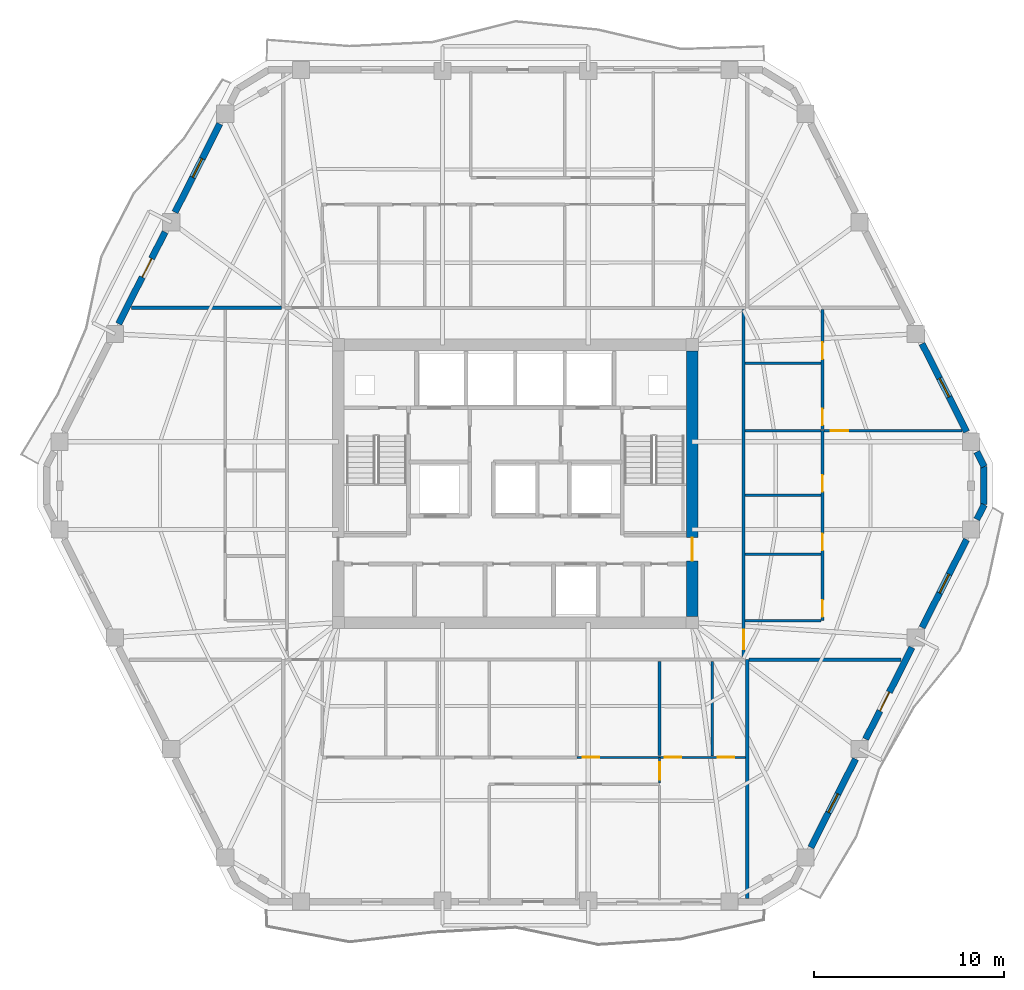
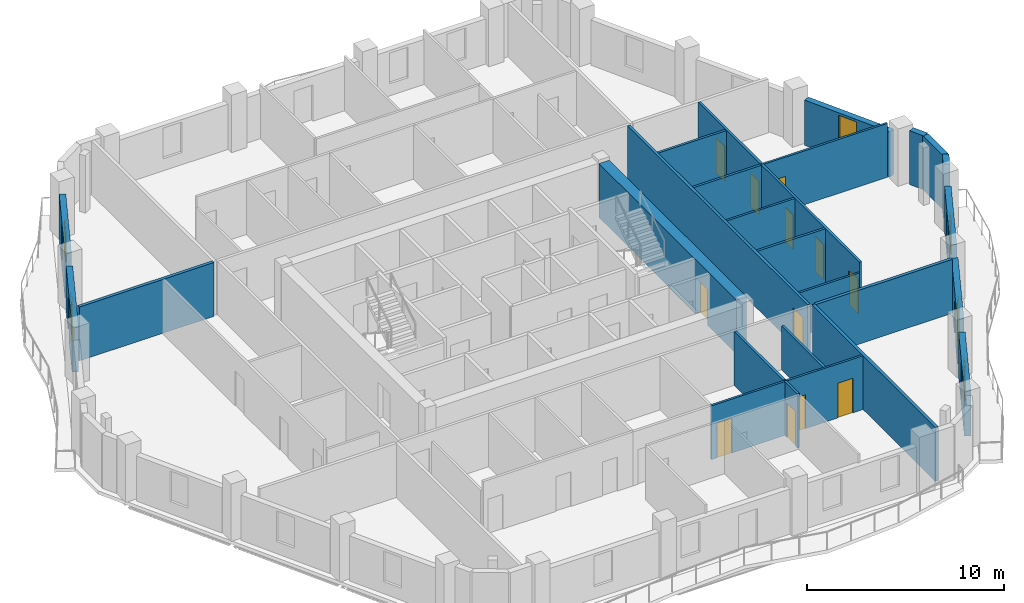
# One storey, part 6 of 10: 26 walls, 14 doors, 4 windows, 18 openings.
"""IFC4 building model written with IfcOpenShell, lengths in metres."""

import ifcopenshell
import ifcopenshell.guid

model = None  # the IFC model being written
_history = None  # IfcOwnerHistory: only IFC2X3 demands one
_inside = {}  # id of a spatial element -> (the spatial element, [elements in it])
_under = {}  # id of a project, library or spatial element -> (it, [spatial elements below it])
_declared = {}  # id of a project -> (the project, [libraries it declares])
_typed = {}  # id of a type object -> (the type object, [elements of that type])
_made_of = {}  # id of a material, layer set ... -> (it, [elements and type objects made of it])


def new_model(schema):
    """Start an empty IFC model of exactly this schema.

    Asked for "IFC4X3", IfcOpenShell would pick the latest addendum, in which some entities
    have other attributes; the version numbers below select the first issue.
    IFC2X3 requires an IfcOwnerHistory on every rooted entity: one is made here for all.
    """
    global model, _history
    if schema == "IFC4X3":
        model = ifcopenshell.file(schema_version=(4, 3, 0, 0))
    else:
        model = ifcopenshell.file(schema=schema)
    _inside.clear()
    _under.clear()
    _declared.clear()
    _typed.clear()
    _made_of.clear()
    _history = None
    if model.schema == "IFC2X3":
        org = make("IfcOrganization", Name="unknown")
        user = make(
            "IfcPersonAndOrganization",
            ThePerson=make("IfcPerson", FamilyName="unknown"),
            TheOrganization=org,
        )
        app = make(
            "IfcApplication",
            ApplicationDeveloper=org,
            Version="unknown",
            ApplicationFullName="unknown",
            ApplicationIdentifier="unknown",
        )
        _history = make(
            "IfcOwnerHistory",
            OwningUser=user,
            OwningApplication=app,
            ChangeAction="ADDED",
            CreationDate=0,
        )
    return model


def make(cls, **values):
    """One entity of the class cls with the attributes given. An attribute that is None is left unset."""
    return model.create_entity(
        cls, **{name: value for name, value in values.items() if value is not None}
    )


def rooted(cls, **values):
    """An entity with a GlobalId (a new one), such as an element, a storey or a relation."""
    return make(cls, GlobalId=ifcopenshell.guid.new(), OwnerHistory=_history, **values)


def si_unit(unit_type, name, prefix=None):
    """IfcSIUnit, for example si_unit("LENGTHUNIT", "METRE", prefix="MILLI")."""
    return make("IfcSIUnit", UnitType=unit_type, Prefix=prefix, Name=name)


def assignment(units):
    """IfcUnitAssignment: the units of a project."""
    return None if units is None else make("IfcUnitAssignment", Units=units)


def point(xyz):
    """IfcCartesianPoint."""
    return None if xyz is None else make("IfcCartesianPoint", Coordinates=xyz)


def direction(xyz):
    """IfcDirection."""
    return None if xyz is None else make("IfcDirection", DirectionRatios=xyz)


def frame(location, z_axis=None, x_axis=None):
    """IfcAxis2Placement3D, a coordinate frame: its origin and axes. An axis left out is left unset."""
    return make(
        "IfcAxis2Placement3D",
        Location=point(location),
        Axis=direction(z_axis),
        RefDirection=direction(x_axis),
    )


def frame_2d(location, x_axis=None):
    """IfcAxis2Placement2D, a coordinate frame in the plane: its origin and x axis."""
    return make(
        "IfcAxis2Placement2D", Location=point(location), RefDirection=direction(x_axis)
    )


def origin():
    """The frame at (0, 0, 0) with its axes left unset."""
    return frame((0.0, 0.0, 0.0))


def place(relative_to, where):
    """IfcLocalPlacement: puts the frame where relative to a parent placement (None: the world)."""
    return make(
        "IfcLocalPlacement", PlacementRelTo=relative_to, RelativePlacement=where
    )


def context(
    kind, dimensions, precision=None, world=None, true_north=None, identifier=None
):
    """IfcGeometricRepresentationContext, for example the 3D "Model" context."""
    return make(
        "IfcGeometricRepresentationContext",
        ContextIdentifier=identifier,
        ContextType=kind,
        CoordinateSpaceDimension=dimensions,
        Precision=precision,
        WorldCoordinateSystem=world,
        TrueNorth=true_north,
    )


def subcontext(parent, identifier, kind, view, scale=None):
    """IfcGeometricRepresentationSubContext, for example "Body" below "Model"."""
    return make(
        "IfcGeometricRepresentationSubContext",
        ContextIdentifier=identifier,
        ContextType=kind,
        ParentContext=parent,
        TargetScale=scale,
        TargetView=view,
    )


def project(units=None, contexts=None):
    """IfcProject with its units and contexts."""
    return rooted(
        "IfcProject",
        Name="project",
        RepresentationContexts=contexts,
        UnitsInContext=assignment(units),
    )


def spatial(cls, under=None, at=None, **own):
    """A site, building, storey or space (cls), placed at a placement, below another one or the project."""
    s = rooted(cls, ObjectPlacement=at, **own)
    if under is not None:
        _under.setdefault(under.id(), (under, []))[1].append(s)
    return s


def profile(cls, at=None, kind="AREA", **sizes):
    """A parametric profile (cls). Its sizes go by their IFC names, for example OverallWidth=200.0."""
    return make(cls, ProfileType=kind, Position=at, **sizes)


def rectangle(**sizes):
    """IfcRectangleProfileDef."""
    return profile("IfcRectangleProfileDef", **sizes)


def extrude(swept, where, along, depth):
    """IfcExtrudedAreaSolid: the profile swept, set in the frame where, extruded along a direction by depth."""
    return make(
        "IfcExtrudedAreaSolid",
        SweptArea=swept,
        Position=where,
        ExtrudedDirection=direction(along),
        Depth=depth,
    )


def shape(context_of_items, identifier, shape_type, items):
    """IfcShapeRepresentation: the items that make up one representation, for example the "Body"."""
    return make(
        "IfcShapeRepresentation",
        ContextOfItems=context_of_items,
        RepresentationIdentifier=identifier,
        RepresentationType=shape_type,
        Items=items,
    )


def material(Name=None, Category=None):
    """IfcMaterial."""
    return make("IfcMaterial", Name=Name, Category=Category)


def layer(
    of_material, thickness, ventilated=None, Name=None, Category=None, Priority=None
):
    """IfcMaterialLayer: one layer of a wall or slab, of a material (None: an air gap)."""
    return make(
        "IfcMaterialLayer",
        Material=of_material,
        LayerThickness=thickness,
        IsVentilated=ventilated,
        Name=Name,
        Category=Category,
        Priority=Priority,
    )


def layer_set(layers, Name=None):
    """IfcMaterialLayerSet."""
    return make("IfcMaterialLayerSet", MaterialLayers=layers, LayerSetName=Name)


def made_of(thing, what):
    """Note that an element or type object is made of a material, layer set ...; save() writes the relation."""
    if what is not None:
        _made_of.setdefault(what.id(), (what, []))[1].append(thing)
    return thing


def type_object(cls, material=None, **own):
    """A type object (cls), such as IfcWallType, which elements share."""
    return made_of(rooted(cls, **own), material)


def element(
    cls,
    number,
    at=None,
    inside=None,
    cuts=None,
    type_object=None,
    material=None,
    context=None,
    identifier="Body",
    shape_type=None,
    held_by="IfcProductDefinitionShape",
    body=None,
    shapes=None,
    **own,
):
    """One element of the class cls, such as IfcWall. Its Tag is "e" and its number.

    at: its placement. inside: the storey or other place that contains it. cuts: it is an
    opening in that element (IfcRelVoidsElement). A single representation is given by context,
    identifier, shape_type and body (its items); several are given by shapes. held_by: the class
    of the entity that holds the representations. save() writes the other relations.
    """
    e = rooted(cls, Tag="e%d" % number, ObjectPlacement=at, **own)
    if body is not None:
        shapes = [shape(context, identifier, shape_type, body)]
    if shapes is not None:
        e.Representation = make(held_by, Representations=shapes)
    if inside is not None:
        _inside.setdefault(inside.id(), (inside, []))[1].append(e)
    if cuts is not None:
        rooted(
            "IfcRelVoidsElement", RelatingBuildingElement=cuts, RelatedOpeningElement=e
        )
    if type_object is not None:
        _typed.setdefault(type_object.id(), (type_object, []))[1].append(e)
    return made_of(e, material)


def fill(opening, filler):
    """IfcRelFillsElement: the door or window that sits in an opening."""
    return rooted(
        "IfcRelFillsElement",
        RelatingOpeningElement=opening,
        RelatedBuildingElement=filler,
    )


def aggregate(whole, parts):
    """IfcRelAggregates: a whole, such as a stair, and the parts it consists of."""
    return rooted("IfcRelAggregates", RelatingObject=whole, RelatedObjects=parts)


def save(model, path):
    """Write the relations noted so far, then the file.

    IfcRelAggregates (storeys below a building ...), IfcRelContainedInSpatialStructure (elements
    in a storey), IfcRelDefinesByType, IfcRelAssociatesMaterial and IfcRelDeclares: one each for
    every whole, place, type object, material and project.
    """
    for whole, parts in _under.values():
        aggregate(whole, parts)
    for where, things in _inside.values():
        rooted(
            "IfcRelContainedInSpatialStructure",
            RelatedElements=things,
            RelatingStructure=where,
        )
    for kind, things in _typed.values():
        rooted("IfcRelDefinesByType", RelatedObjects=things, RelatingType=kind)
    for what, things in _made_of.values():
        rooted("IfcRelAssociatesMaterial", RelatedObjects=things, RelatingMaterial=what)
    for by, libraries in _declared.values():
        rooted("IfcRelDeclares", RelatingContext=by, RelatedDefinitions=libraries)
    model.write(path)


model = new_model("IFC4")

# Units and contexts
model_context = context("Model", 3, precision=1e-05, world=origin(), true_north=direction((0.0, 1.0)))
body_context = subcontext(model_context, "Body", "Model", "MODEL_VIEW")
ifc_project = project(units=[si_unit("LENGTHUNIT", "METRE"), si_unit("AREAUNIT", "SQUARE_METRE"), si_unit("VOLUMEUNIT", "CUBIC_METRE"), si_unit("PLANEANGLEUNIT", "RADIAN"), si_unit("MASSUNIT", "GRAM", prefix="KILO")], contexts=[model_context])

# Site, building, storey
site_placement = place(None, origin())
site = spatial("IfcSite", under=ifc_project, at=site_placement, CompositionType="ELEMENT")
building_placement = place(site_placement, origin())
building = spatial("IfcBuilding", under=site, at=building_placement, Name="Cinnabar Lancet Tower", CompositionType="ELEMENT")
storey_placement = place(building_placement, frame((0.0, 0.0, 164.14990234375)))
storey = spatial("IfcBuildingStorey", under=building, at=storey_placement, Name="L43", CompositionType="ELEMENT", Elevation=164.14990234375)

# Wall, opening, door
ifc_material_1 = material(Name="Acoustic twin-stud gypsum partition", Category="gypsum")
ifc_layer_1 = layer(ifc_material_1, 0.159912109375)
ifc_layer_set_1 = layer_set([ifc_layer_1], Name="Acoustic twin-stud gypsum partition")
wall_type_1 = type_object("IfcWallType", Name="ARC-WL-CORR-160", PredefinedType="PARTITIONING", material=ifc_layer_set_1)
wall_1_placement = place(storey_placement, frame((44.39990234375, 16.7451171875, 0.0), z_axis=(0.0, 0.0, 1.0), x_axis=(0.0, 1.0, 0.0)))
wall_1 = element("IfcWall", 1, at=wall_1_placement, inside=storey, type_object=wall_type_1, Name="UW-L43-E01-COR", PredefinedType="PARTITIONING", context=body_context, shape_type="SweptSolid", body=[
    extrude(rectangle(XDim=18.309814453125, YDim=0.159912109375, at=frame_2d((9.15478515625, 0.0))), origin(), (0.0, 0.0, 1.0), 3.340087890625),
])
opening_1_placement = place(wall_1_placement, frame((0.449951171875, 0.0, 0.0)))
opening_1 = element("IfcOpeningElement", 2, at=opening_1_placement, cuts=wall_1, Name="Opening UD-01", PredefinedType="OPENING", context=body_context, shape_type="SweptSolid", body=[
    extrude(rectangle(XDim=1.02001953125, YDim=2.25, at=frame_2d((0.510009765625, 1.125))), frame((0.0, 0.08984375, 0.0), z_axis=(0.0, -1.0, 0.0), x_axis=(1.0, 0.0, 0.0)), (0.0, 0.0, 1.0), 0.179931640625),
])
ifc_material_2 = material(Name="Solid timber fire-rated apartment entrance door", Category="wood")
door_type_1 = type_object("IfcDoorType", Name="ARC-DR-UNIT", OperationType="NOTDEFINED", PredefinedType="DOOR", material=ifc_material_2)
door_1_placement = place(opening_1_placement, origin())
door_1 = element("IfcDoor", 3, at=door_1_placement, inside=storey, type_object=door_type_1, Name="DR-L43-E01-ENT", OperationType="SINGLE_SWING_LEFT", OverallHeight=2.25, OverallWidth=1.02001953125, PredefinedType="DOOR", context=body_context, shape_type="SweptSolid", body=[
    extrude(rectangle(XDim=1.02001953125, YDim=2.25, at=frame_2d((0.510009765625, 1.125))), frame((0.0, 0.02490234375, 0.0), z_axis=(0.0, -1.0, 0.0), x_axis=(1.0, 0.0, 0.0)), (0.0, 0.0, 1.0), 0.050048828125),
])
fill(opening_1, door_1)

# Walls
ifc_material_3 = material(Name="Fire-rated twin-frame acoustic drywall", Category="gypsum")
ifc_layer_2 = layer(ifc_material_3, 0.179931640625)
ifc_layer_set_2 = layer_set([ifc_layer_2], Name="Fire-rated twin-frame acoustic drywall")
wall_type_2 = type_object("IfcWallType", Name="ARC-WL-PARTY-180", PredefinedType="PARTITIONING", material=ifc_layer_set_2)
wall_2_placement = place(storey_placement, frame((44.60009765625, 4.10498046875, 0.0), z_axis=(0.0, 0.0, 1.0), x_axis=(0.0, 1.0, 0.0)))
element("IfcWall", 4, at=wall_2_placement, inside=storey, type_object=wall_type_2, Name="PW-L43-SPTY-446", PredefinedType="PARTITIONING", context=body_context, shape_type="SweptSolid", body=[
    extrude(rectangle(XDim=12.544921875, YDim=0.179931640625, at=frame_2d((6.2724609375, 0.0))), origin(), (0.0, 0.0, 1.0), 3.340087890625),
])
wall_3_placement = place(storey_placement, frame((44.695068359375, 16.64990234375, 0.0), z_axis=(0.0, 0.0, 1.0), x_axis=(1.0, 0.0, 0.0)))
element("IfcWall", 5, at=wall_3_placement, inside=storey, type_object=wall_type_2, Name="PW-L43-ESB", PredefinedType="PARTITIONING", context=body_context, shape_type="SweptSolid", body=[
    extrude(rectangle(XDim=7.995849609375, YDim=0.179931640625, at=frame_2d((3.998046875, 0.0))), origin(), (0.0, 0.0, 1.0), 3.340087890625),
])
wall_4_placement = place(storey_placement, frame((12.2099609375, 35.14990234375, 0.0), z_axis=(0.0, 0.0, 1.0), x_axis=(1.0, 0.0, 0.0)))
element("IfcWall", 6, at=wall_4_placement, inside=storey, type_object=wall_type_2, Name="PW-L43-WNB", PredefinedType="PARTITIONING", context=body_context, shape_type="SweptSolid", body=[
    extrude(rectangle(XDim=7.89501953125, YDim=0.179931640625, at=frame_2d((3.947509765625, 0.0))), origin(), (0.0, 0.0, 1.0), 3.340087890625),
])

# Wall, openings, doors
ifc_material_4 = material(Name="Gypsum plasterboard stud partition", Category="gypsum")
ifc_layer_3 = layer(ifc_material_4, 0.125)
ifc_layer_set_3 = layer_set([ifc_layer_3], Name="Gypsum plasterboard stud partition")
wall_type_3 = type_object("IfcWallType", Name="ARC-WL-UNIT-125", PredefinedType="PARTITIONING", material=ifc_layer_set_3)
wall_5_placement = place(storey_placement, frame((35.638916015625, 11.507080078125, 0.0), z_axis=(0.0, 0.0, 1.0), x_axis=(1.0, 0.0, 0.0)))
wall_5 = element("IfcWall", 7, at=wall_5_placement, inside=storey, type_object=wall_type_3, Name="UW-L43-S01-SP2", PredefinedType="PARTITIONING", context=body_context, shape_type="SweptSolid", body=[
    extrude(rectangle(XDim=8.865966796875, YDim=0.125, at=frame_2d((4.43310546875, 0.0))), origin(), (0.0, 0.0, 1.0), 3.340087890625),
])
opening_2_placement = place(wall_5_placement, frame((4.625, 0.0, 0.0)))
opening_2 = element("IfcOpeningElement", 8, at=opening_2_placement, cuts=wall_5, Name="Opening BD-01", PredefinedType="OPENING", context=body_context, shape_type="SweptSolid", body=[
    extrude(rectangle(XDim=0.860107421875, YDim=2.10009765625, at=frame_2d((0.43017578125, 1.050048828125))), frame((0.0, 0.072509765625, 0.0), z_axis=(0.0, -1.0, 0.0), x_axis=(1.0, 0.0, 0.0)), (0.0, 0.0, 1.0), 0.14501953125),
])
opening_3_placement = place(wall_5_placement, frame((7.39404296875, 0.0, 0.0)))
opening_3 = element("IfcOpeningElement", 9, at=opening_3_placement, cuts=wall_5, Name="Opening RD-02", PredefinedType="OPENING", context=body_context, shape_type="SweptSolid", body=[
    extrude(rectangle(XDim=0.8798828125, YDim=2.14990234375, at=frame_2d((0.43994140625, 1.074951171875))), frame((0.0, 0.072509765625, 0.0), z_axis=(0.0, -1.0, 0.0), x_axis=(1.0, 0.0, 0.0)), (0.0, 0.0, 1.0), 0.14501953125),
])
opening_4_placement = place(wall_5_placement, frame((0.300048828125, 0.0, 0.0)))
opening_4 = element("IfcOpeningElement", 10, at=opening_4_placement, cuts=wall_5, Name="Opening RD-02", PredefinedType="OPENING", context=body_context, shape_type="SweptSolid", body=[
    extrude(rectangle(XDim=0.8798828125, YDim=2.14990234375, at=frame_2d((0.43994140625, 1.074951171875))), frame((0.0, 0.072509765625, 0.0), z_axis=(0.0, -1.0, 0.0), x_axis=(1.0, 0.0, 0.0)), (0.0, 0.0, 1.0), 0.14501953125),
])
ifc_material_5 = material(Name="Moisture-resistant timber bathroom door", Category="wood")
door_type_2 = type_object("IfcDoorType", Name="ARC-DR-BATH", OperationType="NOTDEFINED", PredefinedType="DOOR", material=ifc_material_5)
door_2_placement = place(opening_2_placement, origin())
door_2 = element("IfcDoor", 11, at=door_2_placement, inside=storey, type_object=door_type_2, Name="DR-L43-S01-ENS", OperationType="SINGLE_SWING_LEFT", OverallHeight=2.10009765625, OverallWidth=0.860107421875, PredefinedType="DOOR", context=body_context, shape_type="SweptSolid", body=[
    extrude(rectangle(XDim=0.860107421875, YDim=2.10009765625, at=frame_2d((0.43017578125, 1.050048828125))), frame((0.0, 0.02490234375, 0.0), z_axis=(0.0, -1.0, 0.0), x_axis=(1.0, 0.0, 0.0)), (0.0, 0.0, 1.0), 0.050048828125),
])
fill(opening_2, door_2)
ifc_material_6 = material(Name="Engineered timber study door", Category="wood")
door_type_3 = type_object("IfcDoorType", Name="ARC-DR-STUDY", OperationType="NOTDEFINED", PredefinedType="DOOR", material=ifc_material_6)
door_3_placement = place(opening_3_placement, origin())
door_3 = element("IfcDoor", 12, at=door_3_placement, inside=storey, type_object=door_type_3, Name="DR-L43-S01-ENS-WDR", OperationType="SINGLE_SWING_RIGHT", OverallHeight=2.14990234375, OverallWidth=0.8798828125, PredefinedType="DOOR", context=body_context, shape_type="SweptSolid", body=[
    extrude(rectangle(XDim=0.8798828125, YDim=2.14990234375, at=frame_2d((0.43994140625, 1.074951171875))), frame((0.0, 0.02490234375, 0.0), z_axis=(0.0, -1.0, 0.0), x_axis=(1.0, 0.0, 0.0)), (0.0, 0.0, 1.0), 0.050048828125),
])
fill(opening_3, door_3)
door_4_placement = place(opening_4_placement, origin())
door_4 = element("IfcDoor", 13, at=door_4_placement, inside=storey, type_object=door_type_3, Name="DR-L43-S01-DRS", OperationType="SINGLE_SWING_RIGHT", OverallHeight=2.14990234375, OverallWidth=0.8798828125, PredefinedType="DOOR", context=body_context, shape_type="SweptSolid", body=[
    extrude(rectangle(XDim=0.8798828125, YDim=2.14990234375, at=frame_2d((0.43994140625, 1.074951171875))), frame((0.0, 0.02490234375, 0.0), z_axis=(0.0, -1.0, 0.0), x_axis=(1.0, 0.0, 0.0)), (0.0, 0.0, 1.0), 0.050048828125),
])
fill(opening_4, door_4)

# Wall, opening, door
wall_6_placement = place(storey_placement, frame((39.98388671875, 10.177001953125, 0.0), z_axis=(0.0, 0.0, 1.0), x_axis=(0.0, 1.0, 0.0)))
wall_6 = element("IfcWall", 14, at=wall_6_placement, inside=storey, type_object=wall_type_3, Name="UW-L43-S01-MBE", PredefinedType="PARTITIONING", context=body_context, shape_type="SweptSolid", body=[
    extrude(rectangle(XDim=1.330078125, YDim=0.125, at=frame_2d((0.6650390625, 0.0))), origin(), (0.0, 0.0, 1.0), 3.340087890625),
])
opening_5_placement = place(wall_6_placement, frame((0.159912109375, 0.0, 0.0)))
opening_5 = element("IfcOpeningElement", 15, at=opening_5_placement, cuts=wall_6, Name="Opening RD-01", PredefinedType="OPENING", context=body_context, shape_type="SweptSolid", body=[
    extrude(rectangle(XDim=0.919921875, YDim=2.14990234375, at=frame_2d((0.4599609375, 1.074951171875))), frame((0.0, 0.072509765625, 0.0), z_axis=(0.0, -1.0, 0.0), x_axis=(1.0, 0.0, 0.0)), (0.0, 0.0, 1.0), 0.14501953125),
])
ifc_material_7 = material(Name="Engineered timber bedroom door", Category="wood")
door_type_4 = type_object("IfcDoorType", Name="ARC-DR-ROOM", OperationType="NOTDEFINED", PredefinedType="DOOR", material=ifc_material_7)
door_5_placement = place(opening_5_placement, origin())
door_5 = element("IfcDoor", 16, at=door_5_placement, inside=storey, type_object=door_type_4, Name="DR-L43-S01-MBD", OperationType="SINGLE_SWING_LEFT", OverallHeight=2.14990234375, OverallWidth=0.919921875, PredefinedType="DOOR", context=body_context, shape_type="SweptSolid", body=[
    extrude(rectangle(XDim=0.919921875, YDim=2.14990234375, at=frame_2d((0.4599609375, 1.074951171875))), frame((0.0, 0.02490234375, 0.0), z_axis=(0.0, -1.0, 0.0), x_axis=(1.0, 0.0, 0.0)), (0.0, 0.0, 1.0), 0.050048828125),
])
fill(opening_5, door_5)

# Wall
wall_7_placement = place(storey_placement, frame((44.485107421875, 18.699951171875, 0.0), z_axis=(0.0, 0.0, 1.0), x_axis=(1.0, 0.0, 0.0)))
element("IfcWall", 17, at=wall_7_placement, inside=storey, type_object=wall_type_3, Name="UW-L43-E01-FOYN", PredefinedType="PARTITIONING", context=body_context, shape_type="SweptSolid", body=[
    extrude(rectangle(XDim=3.97998046875, YDim=0.125, at=frame_2d((1.989990234375, 0.0))), origin(), (0.0, 0.0, 1.0), 2.72216796875),
])

# Wall, opening, door
wall_8_placement = place(storey_placement, frame((48.625, 28.68994140625, 0.0), z_axis=(0.0, 0.0, 1.0), x_axis=(1.0, 0.0, 0.0)))
wall_8 = element("IfcWall", 18, at=wall_8_placement, inside=storey, type_object=wall_type_3, Name="UW-L43-E01-MBN", PredefinedType="PARTITIONING", context=body_context, shape_type="SweptSolid", body=[
    extrude(rectangle(XDim=7.2490234375, YDim=0.125, at=frame_2d((3.62451171875, 0.0))), origin(), (0.0, 0.0, 1.0), 3.340087890625),
])
opening_6_placement = place(wall_8_placement, frame((0.35009765625, 0.0, 0.0)))
opening_6 = element("IfcOpeningElement", 19, at=opening_6_placement, cuts=wall_8, Name="Opening RD-01", PredefinedType="OPENING", context=body_context, shape_type="SweptSolid", body=[
    extrude(rectangle(XDim=0.919921875, YDim=2.14990234375, at=frame_2d((0.4599609375, 1.074951171875))), frame((0.0, 0.072509765625, 0.0), z_axis=(0.0, -1.0, 0.0), x_axis=(1.0, 0.0, 0.0)), (0.0, 0.0, 1.0), 0.14501953125),
])
door_6_placement = place(opening_6_placement, origin())
door_6 = element("IfcDoor", 20, at=door_6_placement, inside=storey, type_object=door_type_4, Name="DR-L43-E01-MBD", OperationType="SINGLE_SWING_LEFT", OverallHeight=2.14990234375, OverallWidth=0.919921875, PredefinedType="DOOR", context=body_context, shape_type="SweptSolid", body=[
    extrude(rectangle(XDim=0.919921875, YDim=2.14990234375, at=frame_2d((0.4599609375, 1.074951171875))), frame((0.0, 0.02490234375, 0.0), z_axis=(0.0, -1.0, 0.0), x_axis=(1.0, 0.0, 0.0)), (0.0, 0.0, 1.0), 0.050048828125),
])
fill(opening_6, door_6)

# Walls
wall_9_placement = place(storey_placement, frame((44.485107421875, 25.2900390625, 0.0), z_axis=(0.0, 0.0, 1.0), x_axis=(1.0, 0.0, 0.0)))
element("IfcWall", 21, at=wall_9_placement, inside=storey, type_object=wall_type_3, Name="UW-L43-E01-UDV", PredefinedType="PARTITIONING", context=body_context, shape_type="SweptSolid", body=[
    extrude(rectangle(XDim=3.97998046875, YDim=0.125, at=frame_2d((1.989990234375, 0.0))), origin(), (0.0, 0.0, 1.0), 3.340087890625),
])
ifc_material_8 = material(Name="Moisture-resistant cement-board plumbing wall", Category="masonry")
ifc_layer_4 = layer(ifc_material_8, 0.139892578125)
ifc_layer_set_4 = layer_set([ifc_layer_4], Name="Moisture-resistant cement-board plumbing wall")
wall_type_4 = type_object("IfcWallType", Name="ARC-WL-WET-140", PredefinedType="PLUMBINGWALL", material=ifc_layer_set_4)
wall_10_placement = place(storey_placement, frame((39.98388671875, 11.612060546875, 0.0), z_axis=(0.0, 0.0, 1.0), x_axis=(0.0, 1.0, 0.0)))
element("IfcWall", 22, at=wall_10_placement, inside=storey, type_object=wall_type_4, Name="UW-L43-S01-UT3", PredefinedType="PLUMBINGWALL", context=body_context, shape_type="SweptSolid", body=[
    extrude(rectangle(XDim=4.952880859375, YDim=0.139892578125, at=frame_2d((2.4765625, 0.0))), origin(), (0.0, 0.0, 1.0), 3.340087890625),
])
wall_11_placement = place(storey_placement, frame((42.7529296875, 11.592041015625, 0.0), z_axis=(0.0, 0.0, 1.0), x_axis=(0.0, 1.0, 0.0)))
element("IfcWall", 23, at=wall_11_placement, inside=storey, type_object=wall_type_4, Name="UW-L43-S01-ENS-WDV", PredefinedType="PLUMBINGWALL", context=body_context, shape_type="SweptSolid", body=[
    extrude(rectangle(XDim=4.972900390625, YDim=0.139892578125, at=frame_2d((2.486328125, 0.0))), origin(), (0.0, 0.0, 1.0), 2.72216796875),
])

# Wall, openings, doors
wall_12_placement = place(storey_placement, frame((48.550048828125, 18.699951171875, 0.0), z_axis=(0.0, 0.0, 1.0), x_axis=(0.0, 1.0, 0.0)))
wall_12 = element("IfcWall", 24, at=wall_12_placement, inside=storey, type_object=wall_type_4, Name="UW-L43-E01-SPL", PredefinedType="PLUMBINGWALL", context=body_context, shape_type="SweptSolid", body=[
    extrude(rectangle(XDim=9.989990234375, YDim=0.139892578125, at=frame_2d((4.9951171875, 0.0))), origin(), (0.0, 0.0, 1.0), 3.340087890625),
])
opening_7_placement = place(wall_12_placement, frame((0.199951171875, 0.0, 0.0)))
opening_7 = element("IfcOpeningElement", 25, at=opening_7_placement, cuts=wall_12, Name="Opening RD-02", PredefinedType="OPENING", context=body_context, shape_type="SweptSolid", body=[
    extrude(rectangle(XDim=0.8798828125, YDim=2.14990234375, at=frame_2d((0.43994140625, 1.074951171875))), frame((0.0, 0.079833984375, 0.0), z_axis=(0.0, -1.0, 0.0), x_axis=(1.0, 0.0, 0.0)), (0.0, 0.0, 1.0), 0.159912109375),
])
opening_8_placement = place(wall_12_placement, frame((3.699951171875, 0.0, 0.0)))
opening_8 = element("IfcOpeningElement", 26, at=opening_8_placement, cuts=wall_12, Name="Opening RD-02", PredefinedType="OPENING", context=body_context, shape_type="SweptSolid", body=[
    extrude(rectangle(XDim=0.8798828125, YDim=2.14990234375, at=frame_2d((0.43994140625, 1.074951171875))), frame((0.0, 0.079833984375, 0.0), z_axis=(0.0, -1.0, 0.0), x_axis=(1.0, 0.0, 0.0)), (0.0, 0.0, 1.0), 0.159912109375),
])
opening_9_placement = place(wall_12_placement, frame((6.7900390625, 0.0, 0.0)))
opening_9 = element("IfcOpeningElement", 27, at=opening_9_placement, cuts=wall_12, Name="Opening BD-01", PredefinedType="OPENING", context=body_context, shape_type="SweptSolid", body=[
    extrude(rectangle(XDim=0.860107421875, YDim=2.10009765625, at=frame_2d((0.43017578125, 1.050048828125))), frame((0.0, 0.079833984375, 0.0), z_axis=(0.0, -1.0, 0.0), x_axis=(1.0, 0.0, 0.0)), (0.0, 0.0, 1.0), 0.159912109375),
])
door_7_placement = place(opening_9_placement, origin())
door_7 = element("IfcDoor", 28, at=door_7_placement, inside=storey, type_object=door_type_2, Name="DR-L43-E01-BTH", OperationType="SINGLE_SWING_RIGHT", OverallHeight=2.10009765625, OverallWidth=0.860107421875, PredefinedType="DOOR", context=body_context, shape_type="SweptSolid", body=[
    extrude(rectangle(XDim=0.860107421875, YDim=2.10009765625, at=frame_2d((0.43017578125, 1.050048828125))), frame((0.0, 0.02490234375, 0.0), z_axis=(0.0, -1.0, 0.0), x_axis=(1.0, 0.0, 0.0)), (0.0, 0.0, 1.0), 0.050048828125),
])
fill(opening_9, door_7)
door_8_placement = place(opening_7_placement, origin())
door_8 = element("IfcDoor", 29, at=door_8_placement, inside=storey, type_object=door_type_3, Name="DR-L43-E01-KIT", OperationType="SINGLE_SWING_RIGHT", OverallHeight=2.14990234375, OverallWidth=0.8798828125, PredefinedType="DOOR", context=body_context, shape_type="SweptSolid", body=[
    extrude(rectangle(XDim=0.8798828125, YDim=2.14990234375, at=frame_2d((0.43994140625, 1.074951171875))), frame((0.0, 0.02490234375, 0.0), z_axis=(0.0, -1.0, 0.0), x_axis=(1.0, 0.0, 0.0)), (0.0, 0.0, 1.0), 0.050048828125),
])
fill(opening_7, door_8)
door_9_placement = place(opening_8_placement, origin())
door_9 = element("IfcDoor", 30, at=door_9_placement, inside=storey, type_object=door_type_3, Name="DR-L43-E01-UTL", OperationType="SINGLE_SWING_LEFT", OverallHeight=2.14990234375, OverallWidth=0.8798828125, PredefinedType="DOOR", context=body_context, shape_type="SweptSolid", body=[
    extrude(rectangle(XDim=0.8798828125, YDim=2.14990234375, at=frame_2d((0.43994140625, 1.074951171875))), frame((0.0, 0.02490234375, 0.0), z_axis=(0.0, -1.0, 0.0), x_axis=(1.0, 0.0, 0.0)), (0.0, 0.0, 1.0), 0.050048828125),
])
fill(opening_8, door_9)

wall_13_placement = place(storey_placement, frame((48.550048828125, 28.760009765625, 0.0), z_axis=(0.0, 0.0, 1.0), x_axis=(0.0, 1.0, 0.0)))
wall_13 = element("IfcWall", 31, at=wall_13_placement, inside=storey, type_object=wall_type_4, Name="UW-L43-E01-SPM", PredefinedType="PLUMBINGWALL", context=body_context, shape_type="SweptSolid", body=[
    extrude(rectangle(XDim=6.294921875, YDim=0.139892578125, at=frame_2d((3.1474609375, 0.0))), origin(), (0.0, 0.0, 1.0), 3.340087890625),
])
opening_10_placement = place(wall_13_placement, frame((0.219970703125, 0.0, 0.0)))
opening_10 = element("IfcOpeningElement", 32, at=opening_10_placement, cuts=wall_13, Name="Opening BD-01", PredefinedType="OPENING", context=body_context, shape_type="SweptSolid", body=[
    extrude(rectangle(XDim=0.860107421875, YDim=2.10009765625, at=frame_2d((0.43017578125, 1.050048828125))), frame((0.0, 0.079833984375, 0.0), z_axis=(0.0, -1.0, 0.0), x_axis=(1.0, 0.0, 0.0)), (0.0, 0.0, 1.0), 0.159912109375),
])
opening_11_placement = place(wall_13_placement, frame((3.696044921875, 0.0, 0.0)))
opening_11 = element("IfcOpeningElement", 33, at=opening_11_placement, cuts=wall_13, Name="Opening RD-02", PredefinedType="OPENING", context=body_context, shape_type="SweptSolid", body=[
    extrude(rectangle(XDim=0.8798828125, YDim=2.14990234375, at=frame_2d((0.43994140625, 1.074951171875))), frame((0.0, 0.079833984375, 0.0), z_axis=(0.0, -1.0, 0.0), x_axis=(1.0, 0.0, 0.0)), (0.0, 0.0, 1.0), 0.159912109375),
])
door_10_placement = place(opening_10_placement, origin())
door_10 = element("IfcDoor", 34, at=door_10_placement, inside=storey, type_object=door_type_2, Name="DR-L43-E01-ENS", OperationType="SINGLE_SWING_LEFT", OverallHeight=2.10009765625, OverallWidth=0.860107421875, PredefinedType="DOOR", context=body_context, shape_type="SweptSolid", body=[
    extrude(rectangle(XDim=0.860107421875, YDim=2.10009765625, at=frame_2d((0.43017578125, 1.050048828125))), frame((0.0, 0.02490234375, 0.0), z_axis=(0.0, -1.0, 0.0), x_axis=(1.0, 0.0, 0.0)), (0.0, 0.0, 1.0), 0.050048828125),
])
fill(opening_10, door_10)
door_11_placement = place(opening_11_placement, origin())
door_11 = element("IfcDoor", 35, at=door_11_placement, inside=storey, type_object=door_type_3, Name="DR-L43-E01-EWDR", OperationType="SINGLE_SWING_RIGHT", OverallHeight=2.14990234375, OverallWidth=0.8798828125, PredefinedType="DOOR", context=body_context, shape_type="SweptSolid", body=[
    extrude(rectangle(XDim=0.8798828125, YDim=2.14990234375, at=frame_2d((0.43994140625, 1.074951171875))), frame((0.0, 0.02490234375, 0.0), z_axis=(0.0, -1.0, 0.0), x_axis=(1.0, 0.0, 0.0)), (0.0, 0.0, 1.0), 0.050048828125),
])
fill(opening_11, door_11)

# Walls
for number, where, z_axis, x_axis, name in (
    (36, (44.485107421875, 28.68994140625, 0.0), (0.0, 0.0, 1.0), (1.0, 0.0, 0.0), "UW-L43-E01-ENSN"),
    (37, (44.485107421875, 22.199951171875, 0.0), (0.0, 0.0, 1.0), (1.0, 0.0, 0.0), "UW-L43-E01-KDV"),
    (38, (44.485107421875, 32.236083984375, 0.0), (0.0, 0.0, 1.0), (1.0, 0.0, 0.0), "UW-L43-E01-EWDV"),
):
    element("IfcWall", number, at=place(storey_placement, frame(where, z_axis=z_axis, x_axis=x_axis)), inside=storey, type_object=wall_type_4, Name=name, PredefinedType="PLUMBINGWALL", context=body_context, shape_type="SweptSolid", body=[
        extrude(rectangle(XDim=3.97998046875, YDim=0.139892578125, at=frame_2d((1.989990234375, 0.0))), origin(), (0.0, 0.0, 1.0), 3.340087890625),
    ])
ifc_material_9 = material(Name="Cinnabar red clay brick", Category="masonry")
ifc_layer_5 = layer(ifc_material_9, 0.340087890625)
ifc_layer_set_5 = layer_set([ifc_layer_5], Name="Cinnabar red clay brick")
wall_type_5 = type_object("IfcWallType", Name="ENV-WL-BRK-RED-340", PredefinedType="STANDARD", material=ifc_layer_set_5)
wall_14_placement = place(storey_placement, frame((57.032958984375, 24.802978515625, 0.0), z_axis=(0.0, 0.0, 1.0), x_axis=(0.0, 1.0, 0.0)))
element("IfcWall", 39, at=wall_14_placement, inside=storey, type_object=wall_type_5, Name="L43 Chamfered Corner Brick Pier 3.1", PredefinedType="STANDARD", context=body_context, shape_type="SweptSolid", body=[
    extrude(rectangle(XDim=1.994140625, YDim=0.340087890625, at=frame_2d((0.9970703125, 0.0))), origin(), (0.0, 0.0, 1.0), 3.340087890625),
])

# Wall, opening, window
wall_15_placement = place(storey_placement, frame((47.93701171875, 6.777099609375, 0.0), z_axis=(0.0, 0.0, 1.0), x_axis=(0.451595734115, 0.892222670038, 0.0)))
wall_15 = element("IfcWall", 40, at=wall_15_placement, inside=storey, type_object=wall_type_5, Name="L43 Face 2 Masonry Bay Wall 2", PredefinedType="STANDARD", context=body_context, shape_type="SweptSolid", body=[
    extrude(rectangle(XDim=5.208251953125, YDim=0.340087890625, at=frame_2d((2.60400390625, 0.0))), origin(), (0.0, 0.0, 1.0), 2.797119140625),
])
opening_12_placement = place(wall_15_placement, frame((2.053955078125, 0.0, 0.75)))
opening_12 = element("IfcOpeningElement", 41, at=opening_12_placement, cuts=wall_15, Name="Opening WN-04", PredefinedType="OPENING", context=body_context, shape_type="SweptSolid", body=[
    extrude(rectangle(XDim=1.10009765625, YDim=1.89697265625, at=frame_2d((0.550048828125, 0.948486328125))), frame((0.0, 0.179931640625, 0.0), z_axis=(0.0, -1.0, 0.0), x_axis=(1.0, 0.0, 0.0)), (0.0, 0.0, 1.0), 0.360107421875),
])
ifc_material_10 = material(Name="Thermally broken bronze-anodized aluminium tall lancet window", Category="aluminium")
window_type = type_object("IfcWindowType", Name="ENV-WN-LANCET-1100", PartitioningType="SINGLE_PANEL", PredefinedType="WINDOW", material=ifc_material_10)
window_1_placement = place(opening_12_placement, origin())
window_1 = element("IfcWindow", 42, at=window_1_placement, inside=storey, type_object=window_type, Name="L43 Face 2 Gothic Lancet Window 2", OverallHeight=1.89697265625, OverallWidth=1.10009765625, PartitioningType="SINGLE_PANEL", PredefinedType="WINDOW", context=body_context, shape_type="SweptSolid", body=[
    extrude(rectangle(XDim=1.10009765625, YDim=1.89697265625, at=frame_2d((0.550048828125, 0.948486328125))), frame((0.0, 0.030029296875, 0.0), z_axis=(0.0, -1.0, 0.0), x_axis=(1.0, 0.0, 0.0)), (0.0, 0.0, 1.0), 0.06005859375),
])
fill(opening_12, window_1)

# Wall, opening, door
wall_16_placement = place(storey_placement, frame((50.818115234375, 12.470947265625, 0.0), z_axis=(0.0, 0.0, 1.0), x_axis=(0.451491174807, 0.892275584711, 0.0)))
wall_16 = element("IfcWall", 43, at=wall_16_placement, inside=storey, type_object=wall_type_5, Name="L43 Face 2 Masonry Bay Wall 3", PredefinedType="STANDARD", context=body_context, shape_type="SweptSolid", body=[
    extrude(rectangle(XDim=5.404296875, YDim=0.340087890625, at=frame_2d((2.7021484375, 0.0))), origin(), (0.0, 0.0, 1.0), 2.797119140625),
])
opening_13_placement = place(wall_16_placement, frame((1.6669921875, 0.0, 0.0)))
opening_13 = element("IfcOpeningElement", 44, at=opening_13_placement, cuts=wall_16, Name="Opening TD-01", PredefinedType="OPENING", context=body_context, shape_type="SweptSolid", body=[
    extrude(rectangle(XDim=1.10009765625, YDim=2.25, at=frame_2d((0.550048828125, 1.125))), frame((0.0, 0.179931640625, 0.0), z_axis=(0.0, -1.0, 0.0), x_axis=(1.0, 0.0, 0.0)), (0.0, 0.0, 1.0), 0.360107421875),
])
ifc_material_11 = material(Name="Thermally broken low-E glazed balcony terrace door", Category="wood")
door_type_5 = type_object("IfcDoorType", Name="ARC-DR-BALC", OperationType="NOTDEFINED", PredefinedType="DOOR", material=ifc_material_11)
door_12_placement = place(opening_13_placement, origin())
door_12 = element("IfcDoor", 45, at=door_12_placement, inside=storey, type_object=door_type_5, Name="L43 Face 2 Glazed Terrace Door", OperationType="SINGLE_SWING_LEFT", OverallHeight=2.25, OverallWidth=1.10009765625, PredefinedType="DOOR", context=body_context, shape_type="SweptSolid", body=[
    extrude(rectangle(XDim=1.10009765625, YDim=2.25, at=frame_2d((0.550048828125, 1.125))), frame((0.0, 0.02490234375, 0.0), z_axis=(0.0, -1.0, 0.0), x_axis=(1.0, 0.0, 0.0)), (0.0, 0.0, 1.0), 0.050048828125),
])
fill(opening_13, door_12)

# Wall, opening, window
wall_17_placement = place(storey_placement, frame((53.785888671875, 18.337890625, 0.0), z_axis=(0.0, 0.0, 1.0), x_axis=(0.451544220963, 0.892248741392, 0.0)))
wall_17 = element("IfcWall", 46, at=wall_17_placement, inside=storey, type_object=wall_type_5, Name="L43 Face 2 Masonry Bay Wall 4", PredefinedType="STANDARD", context=body_context, shape_type="SweptSolid", body=[
    extrude(rectangle(XDim=5.18017578125, YDim=0.340087890625, at=frame_2d((2.590087890625, 0.0))), origin(), (0.0, 0.0, 1.0), 2.797119140625),
])
opening_14_placement = place(wall_17_placement, frame((2.0400390625, 0.0, 0.75)))
opening_14 = element("IfcOpeningElement", 47, at=opening_14_placement, cuts=wall_17, Name="Opening WN-04", PredefinedType="OPENING", context=body_context, shape_type="SweptSolid", body=[
    extrude(rectangle(XDim=1.10009765625, YDim=1.89697265625, at=frame_2d((0.550048828125, 0.948486328125))), frame((0.0, 0.179931640625, 0.0), z_axis=(0.0, -1.0, 0.0), x_axis=(1.0, 0.0, 0.0)), (0.0, 0.0, 1.0), 0.360107421875),
])
window_2_placement = place(opening_14_placement, origin())
window_2 = element("IfcWindow", 48, at=window_2_placement, inside=storey, type_object=window_type, Name="L43 Face 2 Gothic Lancet Window 4", OverallHeight=1.89697265625, OverallWidth=1.10009765625, PartitioningType="SINGLE_PANEL", PredefinedType="WINDOW", context=body_context, shape_type="SweptSolid", body=[
    extrude(rectangle(XDim=1.10009765625, YDim=1.89697265625, at=frame_2d((0.550048828125, 0.948486328125))), frame((0.0, 0.030029296875, 0.0), z_axis=(0.0, -1.0, 0.0), x_axis=(1.0, 0.0, 0.0)), (0.0, 0.0, 1.0), 0.06005859375),
])
fill(opening_14, window_2)

# Walls
for number, where, z_axis, x_axis, name in (
    (49, (56.660888671875, 24.02001953125, 0.0), (0.0, 0.0, 1.0), (0.451923099039, 0.892056899842, 0.0), "L43 Face 2 Masonry Bay Wall 5"),
    (50, (57.053955078125, 26.803955078125, 0.0), (0.0, 0.0, 1.0), (-0.451809962998, 0.892114206442, 0.0), "L43 Face 3 Masonry Bay Wall 1"),
):
    element("IfcWall", number, at=place(storey_placement, frame(where, z_axis=z_axis, x_axis=x_axis)), inside=storey, type_object=wall_type_5, Name=name, PredefinedType="STANDARD", context=body_context, shape_type="SweptSolid", body=[
        extrude(rectangle(XDim=0.869873046875, YDim=0.340087890625, at=frame_2d((0.43505859375, 0.0))), origin(), (0.0, 0.0, 1.0), 3.340087890625),
    ])

# Wall, opening, window
wall_18_placement = place(storey_placement, frame((56.125, 28.639892578125, 0.0), z_axis=(0.0, 0.0, 1.0), x_axis=(-0.451544220963, 0.892248741392, 0.0)))
wall_18 = element("IfcWall", 51, at=wall_18_placement, inside=storey, type_object=wall_type_5, Name="L43 Face 3 Masonry Bay Wall 2", PredefinedType="STANDARD", context=body_context, shape_type="SweptSolid", body=[
    extrude(rectangle(XDim=5.18017578125, YDim=0.340087890625, at=frame_2d((2.590087890625, 0.0))), origin(), (0.0, 0.0, 1.0), 2.797119140625),
])
opening_15_placement = place(wall_18_placement, frame((2.0400390625, 0.0, 0.75)))
opening_15 = element("IfcOpeningElement", 52, at=opening_15_placement, cuts=wall_18, Name="Opening WN-04", PredefinedType="OPENING", context=body_context, shape_type="SweptSolid", body=[
    extrude(rectangle(XDim=1.10009765625, YDim=1.89697265625, at=frame_2d((0.550048828125, 0.948486328125))), frame((0.0, 0.179931640625, 0.0), z_axis=(0.0, -1.0, 0.0), x_axis=(1.0, 0.0, 0.0)), (0.0, 0.0, 1.0), 0.360107421875),
])
window_3_placement = place(opening_15_placement, origin())
window_3 = element("IfcWindow", 53, at=window_3_placement, inside=storey, type_object=window_type, Name="L43 Face 3 Gothic Lancet Window 2", OverallHeight=1.89697265625, OverallWidth=1.10009765625, PartitioningType="SINGLE_PANEL", PredefinedType="WINDOW", context=body_context, shape_type="SweptSolid", body=[
    extrude(rectangle(XDim=1.10009765625, YDim=1.89697265625, at=frame_2d((0.550048828125, 0.948486328125))), frame((0.0, 0.030029296875, 0.0), z_axis=(0.0, -1.0, 0.0), x_axis=(1.0, 0.0, 0.0)), (0.0, 0.0, 1.0), 0.06005859375),
])
fill(opening_15, window_3)

wall_19_placement = place(storey_placement, frame((16.863037109375, 44.822998046875, 0.0), z_axis=(0.0, 0.0, 1.0), x_axis=(-0.451595734115, -0.892222670038, 0.0)))
wall_19 = element("IfcWall", 54, at=wall_19_placement, inside=storey, type_object=wall_type_5, Name="L43 Face 5 Masonry Bay Wall 2", PredefinedType="STANDARD", context=body_context, shape_type="SweptSolid", body=[
    extrude(rectangle(XDim=5.208251953125, YDim=0.340087890625, at=frame_2d((2.60400390625, 0.0))), origin(), (0.0, 0.0, 1.0), 2.797119140625),
])
opening_16_placement = place(wall_19_placement, frame((2.053955078125, 0.0, 0.75)))
opening_16 = element("IfcOpeningElement", 55, at=opening_16_placement, cuts=wall_19, Name="Opening WN-04", PredefinedType="OPENING", context=body_context, shape_type="SweptSolid", body=[
    extrude(rectangle(XDim=1.10009765625, YDim=1.89697265625, at=frame_2d((0.550048828125, 0.948486328125))), frame((0.0, 0.179931640625, 0.0), z_axis=(0.0, -1.0, 0.0), x_axis=(1.0, 0.0, 0.0)), (0.0, 0.0, 1.0), 0.360107421875),
])
window_4_placement = place(opening_16_placement, origin())
window_4 = element("IfcWindow", 56, at=window_4_placement, inside=storey, type_object=window_type, Name="L43 Face 5 Gothic Lancet Window 2", OverallHeight=1.89697265625, OverallWidth=1.10009765625, PartitioningType="SINGLE_PANEL", PredefinedType="WINDOW", context=body_context, shape_type="SweptSolid", body=[
    extrude(rectangle(XDim=1.10009765625, YDim=1.89697265625, at=frame_2d((0.550048828125, 0.948486328125))), frame((0.0, 0.030029296875, 0.0), z_axis=(0.0, -1.0, 0.0), x_axis=(1.0, 0.0, 0.0)), (0.0, 0.0, 1.0), 0.06005859375),
])
fill(opening_16, window_4)

# Wall, opening, door
wall_20_placement = place(storey_placement, frame((13.98193359375, 39.12890625, 0.0), z_axis=(0.0, 0.0, 1.0), x_axis=(-0.451491174807, -0.892275584711, 0.0)))
wall_20 = element("IfcWall", 57, at=wall_20_placement, inside=storey, type_object=wall_type_5, Name="L43 Face 5 Masonry Bay Wall 3", PredefinedType="STANDARD", context=body_context, shape_type="SweptSolid", body=[
    extrude(rectangle(XDim=5.404296875, YDim=0.340087890625, at=frame_2d((2.7021484375, 0.0))), origin(), (0.0, 0.0, 1.0), 2.797119140625),
])
opening_17_placement = place(wall_20_placement, frame((1.554931640625, 0.0, 0.0)))
opening_17 = element("IfcOpeningElement", 58, at=opening_17_placement, cuts=wall_20, Name="Opening TD-01", PredefinedType="OPENING", context=body_context, shape_type="SweptSolid", body=[
    extrude(rectangle(XDim=1.10009765625, YDim=2.25, at=frame_2d((0.550048828125, 1.125))), frame((0.0, 0.179931640625, 0.0), z_axis=(0.0, -1.0, 0.0), x_axis=(1.0, 0.0, 0.0)), (0.0, 0.0, 1.0), 0.360107421875),
])
door_13_placement = place(opening_17_placement, origin())
door_13 = element("IfcDoor", 59, at=door_13_placement, inside=storey, type_object=door_type_5, Name="L43 Face 5 Glazed Terrace Door", OperationType="SINGLE_SWING_RIGHT", OverallHeight=2.25, OverallWidth=1.10009765625, PredefinedType="DOOR", context=body_context, shape_type="SweptSolid", body=[
    extrude(rectangle(XDim=1.10009765625, YDim=2.25, at=frame_2d((0.550048828125, 1.125))), frame((0.0, 0.02490234375, 0.0), z_axis=(0.0, -1.0, 0.0), x_axis=(1.0, 0.0, 0.0)), (0.0, 0.0, 1.0), 0.050048828125),
])
fill(opening_17, door_13)

ifc_material_12 = material(Name="Concrete C60/75", Category="concrete")
ifc_layer_6 = layer(ifc_material_12, 0.60009765625)
ifc_layer_set_6 = layer_set([ifc_layer_6], Name="Concrete C60/75")
wall_type_6 = type_object("IfcWallType", Name="STR-WL-CORE-600", PredefinedType="SHEAR", material=ifc_layer_set_6)
wall_21_placement = place(storey_placement, frame((41.699951171875, 18.925048828125, 0.0), z_axis=(0.0, 0.0, 1.0), x_axis=(0.0, 1.0, 0.0)))
wall_21 = element("IfcWall", 60, at=wall_21_placement, inside=storey, type_object=wall_type_6, Name="L43 Core Shear Wall E", PredefinedType="SHEAR", context=body_context, shape_type="SweptSolid", body=[
    extrude(rectangle(XDim=13.949951171875, YDim=0.60009765625, at=frame_2d((6.97509765625, 0.0))), origin(), (0.0, 0.0, 1.0), 3.340087890625),
])
opening_18_placement = place(wall_21_placement, frame((2.9150390625, 0.0, 0.0)))
opening_18 = element("IfcOpeningElement", 61, at=opening_18_placement, cuts=wall_21, Name="Opening FD-02", PredefinedType="OPENING", context=body_context, shape_type="SweptSolid", body=[
    extrude(rectangle(XDim=1.219970703125, YDim=2.25, at=frame_2d((0.60986328125, 1.125))), frame((0.0, 0.31005859375, 0.0), z_axis=(0.0, -1.0, 0.0), x_axis=(1.0, 0.0, 0.0)), (0.0, 0.0, 1.0), 0.6201171875),
])
ifc_material_13 = material(Name="Fire-rated double-vision core portal door", Category="wood")
door_type_6 = type_object("IfcDoorType", Name="ARC-DR-CPORT", OperationType="NOTDEFINED", PredefinedType="DOOR", material=ifc_material_13)
door_14_placement = place(opening_18_placement, origin())
door_14 = element("IfcDoor", 62, at=door_14_placement, inside=storey, type_object=door_type_6, Name="L43 East Core Lobby Fire Door", OperationType="SINGLE_SWING_LEFT", OverallHeight=2.25, OverallWidth=1.219970703125, PredefinedType="DOOR", context=body_context, shape_type="SweptSolid", body=[
    extrude(rectangle(XDim=1.219970703125, YDim=2.25, at=frame_2d((0.60986328125, 1.125))), frame((0.0, 0.02490234375, 0.0), z_axis=(0.0, -1.0, 0.0), x_axis=(1.0, 0.0, 0.0)), (0.0, 0.0, 1.0), 0.050048828125),
])
fill(opening_18, door_14)

save(model, "model.ifc")
